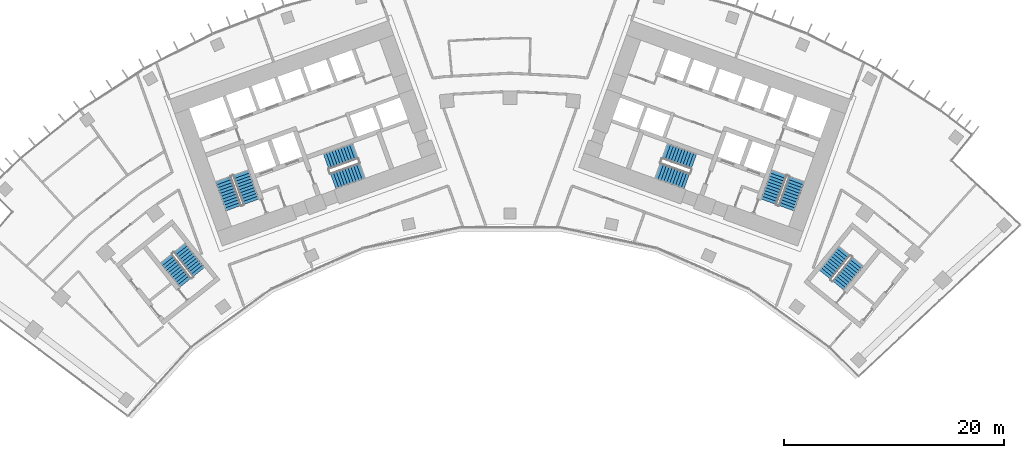
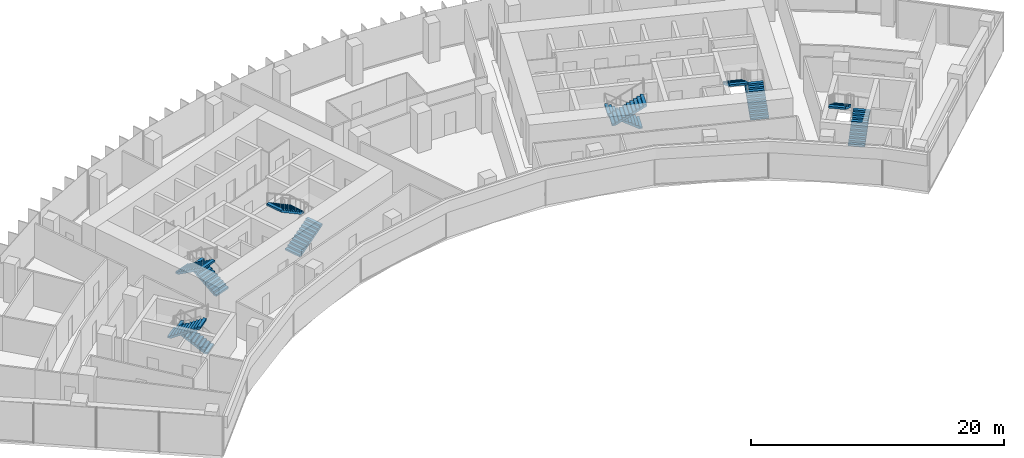
# One storey, part 19 of 21: 12 stair flights, 6 elements without a shape of their own.
"""IFC4 building model written with IfcOpenShell, lengths in metres."""

from ifc_helpers import new_model, si_unit, direction, frame, origin, place, context, subcontext, project, spatial, polyline, outline, extrude, material, type_object, element, aggregate, save


model = new_model("IFC4")

# Units and contexts
model_context = context("Model", 3, precision=1e-05, world=origin(), true_north=direction((0.0, 1.0)))
body_context = subcontext(model_context, "Body", "Model", "MODEL_VIEW")
ifc_project = project(units=[si_unit("LENGTHUNIT", "METRE"), si_unit("AREAUNIT", "SQUARE_METRE"), si_unit("VOLUMEUNIT", "CUBIC_METRE"), si_unit("PLANEANGLEUNIT", "RADIAN"), si_unit("MASSUNIT", "GRAM", prefix="KILO")], contexts=[model_context])

# Site, building, storey
site_placement = place(None, origin())
site = spatial("IfcSite", under=ifc_project, at=site_placement, CompositionType="ELEMENT")
building_placement = place(site_placement, origin())
building = spatial("IfcBuilding", under=site, at=building_placement, Name="Stone Belt Terrace Tower", CompositionType="ELEMENT")
storey_placement = place(building_placement, frame((0.0, 0.0, 189.60009765625)))
storey = spatial("IfcBuildingStorey", under=building, at=storey_placement, Name="L46", CompositionType="ELEMENT", Elevation=189.60009765625)

# Stair, stair flights
ifc_material = material(Name="Concrete B40", Category="concrete")
stair_type = type_object("IfcStairType", Name="Exit stair 1500", PredefinedType="HALF_TURN_STAIR", material=ifc_material)
stair_1_placement = place(storey_placement, origin())
stair_1 = element("IfcStair", 1, at=stair_1_placement, inside=storey, type_object=stair_type, Name="L46 Exit stair 1 core A", PredefinedType="HALF_TURN_STAIR")
stair_flight_type = type_object("IfcStairFlightType", Name="Stair flight 1500", PredefinedType="STRAIGHT", material=ifc_material)
stair_flight_1_placement = place(storey_placement, frame((-23.55322265625, 45.51318359375, 0.0), z_axis=(0.0, 0.0, 1.0), x_axis=(-0.338624396177, 0.940921632398, 0.0)))
stair_flight_1 = element("IfcStairFlight", 2, at=stair_flight_1_placement, type_object=stair_flight_type, Name="ST1A flight 1", NumberOfRisers=11, NumberOfTreads=10, PredefinedType="STRAIGHT", RiserHeight=0.172727273, TreadLength=0.28, context=body_context, shape_type="SweptSolid", body=[
    extrude(outline(polyline([(0.0, 0.0), (0.0, 0.172607421875), (0.280029296875, 0.172607421875), (0.280029296875, 0.345458984375), (0.56005859375, 0.345458984375), (0.56005859375, 0.51806640625), (0.840087890625, 0.51806640625), (0.840087890625, 0.69091796875), (1.1201171875, 0.69091796875), (1.1201171875, 0.863525390625), (1.39990234375, 0.863525390625), (1.39990234375, 1.036376953125), (1.679931640625, 1.036376953125), (1.679931640625, 1.208984375), (1.9599609375, 1.208984375), (1.9599609375, 1.3818359375), (2.239990234375, 1.3818359375), (2.239990234375, 1.554443359375), (2.52001953125, 1.554443359375), (2.52001953125, 1.727294921875), (2.800048828125, 1.727294921875), (2.800048828125, 1.89990234375), (2.800048828125, 1.551025390625), (0.285400390625, 0.0), (0.0, 0.0)])), frame((0.0, 0.75, 0.0), z_axis=(0.0, -1.0, 0.0), x_axis=(1.0, 0.0, 0.0)), (0.0, 0.0, 1.0), 1.5),
])
stair_flight_2_placement = place(storey_placement, frame((-26.10107421875, 47.572021484375, 1.89990234375), z_axis=(0.0, 0.0, 1.0), x_axis=(0.338624396177, -0.940921632398, 0.0)))
stair_flight_2 = element("IfcStairFlight", 3, at=stair_flight_2_placement, type_object=stair_flight_type, Name="ST1A flight 2", NumberOfRisers=11, NumberOfTreads=10, PredefinedType="STRAIGHT", RiserHeight=0.172727273, TreadLength=0.28, context=body_context, shape_type="SweptSolid", body=[
    extrude(outline(polyline([(0.0, 0.0), (0.0, 0.172607421875), (0.280029296875, 0.172607421875), (0.280029296875, 0.345458984375), (0.56005859375, 0.345458984375), (0.56005859375, 0.51806640625), (0.840087890625, 0.51806640625), (0.840087890625, 0.69091796875), (1.1201171875, 0.69091796875), (1.1201171875, 0.863525390625), (1.39990234375, 0.863525390625), (1.39990234375, 1.036376953125), (1.679931640625, 1.036376953125), (1.679931640625, 1.208984375), (1.9599609375, 1.208984375), (1.9599609375, 1.3818359375), (2.239990234375, 1.3818359375), (2.239990234375, 1.554443359375), (2.52001953125, 1.554443359375), (2.52001953125, 1.727294921875), (2.800048828125, 1.727294921875), (2.800048828125, 1.89990234375), (2.800048828125, 1.551025390625), (0.285400390625, 0.0), (0.0, 0.0)])), frame((0.0, 0.75, 0.0), z_axis=(0.0, -1.0, 0.0), x_axis=(1.0, 0.0, 0.0)), (0.0, 0.0, 1.0), 1.5),
])
aggregate(stair_1, [stair_flight_1, stair_flight_2])

stair_2_placement = place(storey_placement, origin())
stair_2 = element("IfcStair", 4, at=stair_2_placement, inside=storey, type_object=stair_type, Name="L46 Exit stair 2 core A", PredefinedType="HALF_TURN_STAIR")
stair_flight_3_placement = place(storey_placement, frame((-16.101318359375, 47.39794921875, 0.0), z_axis=(0.0, 0.0, 1.0), x_axis=(0.940921632398, 0.338624396177, 0.0)))
stair_flight_3 = element("IfcStairFlight", 5, at=stair_flight_3_placement, type_object=stair_flight_type, Name="ST2A flight 1", NumberOfRisers=11, NumberOfTreads=10, PredefinedType="STRAIGHT", RiserHeight=0.172727273, TreadLength=0.28, context=body_context, shape_type="SweptSolid", body=[
    extrude(outline(polyline([(0.0, 0.0), (0.0, 0.172607421875), (0.280029296875, 0.172607421875), (0.280029296875, 0.345458984375), (0.56005859375, 0.345458984375), (0.56005859375, 0.51806640625), (0.840087890625, 0.51806640625), (0.840087890625, 0.69091796875), (1.1201171875, 0.69091796875), (1.1201171875, 0.863525390625), (1.39990234375, 0.863525390625), (1.39990234375, 1.036376953125), (1.679931640625, 1.036376953125), (1.679931640625, 1.208984375), (1.9599609375, 1.208984375), (1.9599609375, 1.3818359375), (2.239990234375, 1.3818359375), (2.239990234375, 1.554443359375), (2.52001953125, 1.554443359375), (2.52001953125, 1.727294921875), (2.800048828125, 1.727294921875), (2.800048828125, 1.89990234375), (2.800048828125, 1.551025390625), (0.285400390625, 0.0), (0.0, 0.0)])), frame((0.0, 0.75, 0.0), z_axis=(0.0, -1.0, 0.0), x_axis=(1.0, 0.0, 0.0)), (0.0, 0.0, 1.0), 1.5),
])
stair_flight_4_placement = place(storey_placement, frame((-14.110107421875, 50.1337890625, 1.89990234375), z_axis=(0.0, 0.0, 1.0), x_axis=(-0.940921632398, -0.338624396177, 0.0)))
stair_flight_4 = element("IfcStairFlight", 6, at=stair_flight_4_placement, type_object=stair_flight_type, Name="ST2A flight 2", NumberOfRisers=11, NumberOfTreads=10, PredefinedType="STRAIGHT", RiserHeight=0.172727273, TreadLength=0.28, context=body_context, shape_type="SweptSolid", body=[
    extrude(outline(polyline([(0.0, 0.0), (0.0, 0.172607421875), (0.280029296875, 0.172607421875), (0.280029296875, 0.345458984375), (0.56005859375, 0.345458984375), (0.56005859375, 0.51806640625), (0.840087890625, 0.51806640625), (0.840087890625, 0.69091796875), (1.1201171875, 0.69091796875), (1.1201171875, 0.863525390625), (1.39990234375, 0.863525390625), (1.39990234375, 1.036376953125), (1.679931640625, 1.036376953125), (1.679931640625, 1.208984375), (1.9599609375, 1.208984375), (1.9599609375, 1.3818359375), (2.239990234375, 1.3818359375), (2.239990234375, 1.554443359375), (2.52001953125, 1.554443359375), (2.52001953125, 1.727294921875), (2.800048828125, 1.727294921875), (2.800048828125, 1.89990234375), (2.800048828125, 1.551025390625), (0.285400390625, 0.0), (0.0, 0.0)])), frame((0.0, 0.75, 0.0), z_axis=(0.0, -1.0, 0.0), x_axis=(1.0, 0.0, 0.0)), (0.0, 0.0, 1.0), 1.5),
])
aggregate(stair_2, [stair_flight_3, stair_flight_4])

stair_3_placement = place(storey_placement, origin())
stair_3 = element("IfcStair", 7, at=stair_3_placement, inside=storey, type_object=stair_type, Name="L46 Exit stair 1 core B", PredefinedType="HALF_TURN_STAIR")
stair_flight_5_placement = place(storey_placement, frame((25.15283203125, 44.9375, 0.0), z_axis=(0.0, 0.0, 1.0), x_axis=(0.338624396177, 0.940921632398, 0.0)))
stair_flight_5 = element("IfcStairFlight", 8, at=stair_flight_5_placement, type_object=stair_flight_type, Name="ST1B flight 1", NumberOfRisers=11, NumberOfTreads=10, PredefinedType="STRAIGHT", RiserHeight=0.172727273, TreadLength=0.28, context=body_context, shape_type="SweptSolid", body=[
    extrude(outline(polyline([(0.0, 0.0), (0.0, 0.172607421875), (0.280029296875, 0.172607421875), (0.280029296875, 0.345458984375), (0.56005859375, 0.345458984375), (0.56005859375, 0.51806640625), (0.840087890625, 0.51806640625), (0.840087890625, 0.69091796875), (1.1201171875, 0.69091796875), (1.1201171875, 0.863525390625), (1.39990234375, 0.863525390625), (1.39990234375, 1.036376953125), (1.679931640625, 1.036376953125), (1.679931640625, 1.208984375), (1.9599609375, 1.208984375), (1.9599609375, 1.3818359375), (2.239990234375, 1.3818359375), (2.239990234375, 1.554443359375), (2.52001953125, 1.554443359375), (2.52001953125, 1.727294921875), (2.800048828125, 1.727294921875), (2.800048828125, 1.89990234375), (2.800048828125, 1.551025390625), (0.285400390625, 0.0), (0.0, 0.0)])), frame((0.0, 0.75, 0.0), z_axis=(0.0, -1.0, 0.0), x_axis=(1.0, 0.0, 0.0)), (0.0, 0.0, 1.0), 1.5),
])
stair_flight_6_placement = place(storey_placement, frame((24.50146484375, 48.147705078125, 1.89990234375), z_axis=(0.0, 0.0, 1.0), x_axis=(-0.338624396177, -0.940921632398, 0.0)))
stair_flight_6 = element("IfcStairFlight", 9, at=stair_flight_6_placement, type_object=stair_flight_type, Name="ST1B flight 2", NumberOfRisers=11, NumberOfTreads=10, PredefinedType="STRAIGHT", RiserHeight=0.172727273, TreadLength=0.28, context=body_context, shape_type="SweptSolid", body=[
    extrude(outline(polyline([(0.0, 0.0), (0.0, 0.172607421875), (0.280029296875, 0.172607421875), (0.280029296875, 0.345458984375), (0.56005859375, 0.345458984375), (0.56005859375, 0.51806640625), (0.840087890625, 0.51806640625), (0.840087890625, 0.69091796875), (1.1201171875, 0.69091796875), (1.1201171875, 0.863525390625), (1.39990234375, 0.863525390625), (1.39990234375, 1.036376953125), (1.679931640625, 1.036376953125), (1.679931640625, 1.208984375), (1.9599609375, 1.208984375), (1.9599609375, 1.3818359375), (2.239990234375, 1.3818359375), (2.239990234375, 1.554443359375), (2.52001953125, 1.554443359375), (2.52001953125, 1.727294921875), (2.800048828125, 1.727294921875), (2.800048828125, 1.89990234375), (2.800048828125, 1.551025390625), (0.285400390625, 0.0), (0.0, 0.0)])), frame((0.0, 0.75, 0.0), z_axis=(0.0, -1.0, 0.0), x_axis=(1.0, 0.0, 0.0)), (0.0, 0.0, 1.0), 1.5),
])
aggregate(stair_3, [stair_flight_5, stair_flight_6])

stair_4_placement = place(storey_placement, origin())
stair_4 = element("IfcStair", 10, at=stair_4_placement, inside=storey, type_object=stair_type, Name="L46 Exit stair 2 core B", PredefinedType="HALF_TURN_STAIR")
stair_flight_7_placement = place(storey_placement, frame((16.74462890625, 49.185546875, 0.0), z_axis=(0.0, 0.0, 1.0), x_axis=(-0.940921632398, 0.338624396177, 0.0)))
stair_flight_7 = element("IfcStairFlight", 11, at=stair_flight_7_placement, type_object=stair_flight_type, Name="ST2B flight 1", NumberOfRisers=11, NumberOfTreads=10, PredefinedType="STRAIGHT", RiserHeight=0.172727273, TreadLength=0.28, context=body_context, shape_type="SweptSolid", body=[
    extrude(outline(polyline([(0.0, 0.0), (0.0, 0.172607421875), (0.280029296875, 0.172607421875), (0.280029296875, 0.345458984375), (0.56005859375, 0.345458984375), (0.56005859375, 0.51806640625), (0.840087890625, 0.51806640625), (0.840087890625, 0.69091796875), (1.1201171875, 0.69091796875), (1.1201171875, 0.863525390625), (1.39990234375, 0.863525390625), (1.39990234375, 1.036376953125), (1.679931640625, 1.036376953125), (1.679931640625, 1.208984375), (1.9599609375, 1.208984375), (1.9599609375, 1.3818359375), (2.239990234375, 1.3818359375), (2.239990234375, 1.554443359375), (2.52001953125, 1.554443359375), (2.52001953125, 1.727294921875), (2.800048828125, 1.727294921875), (2.800048828125, 1.89990234375), (2.800048828125, 1.551025390625), (0.285400390625, 0.0), (0.0, 0.0)])), frame((0.0, 0.75, 0.0), z_axis=(0.0, -1.0, 0.0), x_axis=(1.0, 0.0, 0.0)), (0.0, 0.0, 1.0), 1.5),
])
stair_flight_8_placement = place(storey_placement, frame((13.466796875, 48.345947265625, 1.89990234375), z_axis=(0.0, 0.0, 1.0), x_axis=(0.940921632398, -0.338624396177, 0.0)))
stair_flight_8 = element("IfcStairFlight", 12, at=stair_flight_8_placement, type_object=stair_flight_type, Name="ST2B flight 2", NumberOfRisers=11, NumberOfTreads=10, PredefinedType="STRAIGHT", RiserHeight=0.172727273, TreadLength=0.28, context=body_context, shape_type="SweptSolid", body=[
    extrude(outline(polyline([(0.0, 0.0), (0.0, 0.172607421875), (0.280029296875, 0.172607421875), (0.280029296875, 0.345458984375), (0.56005859375, 0.345458984375), (0.56005859375, 0.51806640625), (0.840087890625, 0.51806640625), (0.840087890625, 0.69091796875), (1.1201171875, 0.69091796875), (1.1201171875, 0.863525390625), (1.39990234375, 0.863525390625), (1.39990234375, 1.036376953125), (1.679931640625, 1.036376953125), (1.679931640625, 1.208984375), (1.9599609375, 1.208984375), (1.9599609375, 1.3818359375), (2.239990234375, 1.3818359375), (2.239990234375, 1.554443359375), (2.52001953125, 1.554443359375), (2.52001953125, 1.727294921875), (2.800048828125, 1.727294921875), (2.800048828125, 1.89990234375), (2.800048828125, 1.551025390625), (0.285400390625, 0.0), (0.0, 0.0)])), frame((0.0, 0.75, 0.0), z_axis=(0.0, -1.0, 0.0), x_axis=(1.0, 0.0, 0.0)), (0.0, 0.0, 1.0), 1.5),
])
aggregate(stair_4, [stair_flight_7, stair_flight_8])

stair_5_placement = place(storey_placement, origin())
stair_5 = element("IfcStair", 13, at=stair_5_placement, inside=storey, type_object=stair_type, Name="L46 Exit stair 3A", PredefinedType="HALF_TURN_STAIR")
stair_flight_9_placement = place(storey_placement, frame((-28.325439453125, 39.1240234375, 0.0), z_axis=(0.0, 0.0, 1.0), x_axis=(-0.623121363691, 0.782125160132, 0.0)))
stair_flight_9 = element("IfcStairFlight", 14, at=stair_flight_9_placement, type_object=stair_flight_type, Name="ST3A flight 1", NumberOfRisers=11, NumberOfTreads=10, PredefinedType="STRAIGHT", RiserHeight=0.172727273, TreadLength=0.28, context=body_context, shape_type="SweptSolid", body=[
    extrude(outline(polyline([(0.0, 0.0), (0.0, 0.172607421875), (0.280029296875, 0.172607421875), (0.280029296875, 0.345458984375), (0.56005859375, 0.345458984375), (0.56005859375, 0.51806640625), (0.840087890625, 0.51806640625), (0.840087890625, 0.69091796875), (1.1201171875, 0.69091796875), (1.1201171875, 0.863525390625), (1.39990234375, 0.863525390625), (1.39990234375, 1.036376953125), (1.679931640625, 1.036376953125), (1.679931640625, 1.208984375), (1.9599609375, 1.208984375), (1.9599609375, 1.3818359375), (2.239990234375, 1.3818359375), (2.239990234375, 1.554443359375), (2.52001953125, 1.554443359375), (2.52001953125, 1.727294921875), (2.800048828125, 1.727294921875), (2.800048828125, 1.89990234375), (2.800048828125, 1.551025390625), (0.285400390625, 0.0), (0.0, 0.0)])), frame((0.0, 0.675048828125, 0.0), z_axis=(0.0, -1.0, 0.0), x_axis=(1.0, 0.0, 0.0)), (0.0, 0.0, 1.0), 1.35009765625),
])
stair_flight_10_placement = place(storey_placement, frame((-31.282470703125, 40.34814453125, 1.89990234375), z_axis=(0.0, 0.0, 1.0), x_axis=(0.623121363691, -0.782125160132, 0.0)))
stair_flight_10 = element("IfcStairFlight", 15, at=stair_flight_10_placement, type_object=stair_flight_type, Name="ST3A flight 2", NumberOfRisers=11, NumberOfTreads=10, PredefinedType="STRAIGHT", RiserHeight=0.172727273, TreadLength=0.28, context=body_context, shape_type="SweptSolid", body=[
    extrude(outline(polyline([(0.0, 0.0), (0.0, 0.172607421875), (0.280029296875, 0.172607421875), (0.280029296875, 0.345458984375), (0.56005859375, 0.345458984375), (0.56005859375, 0.51806640625), (0.840087890625, 0.51806640625), (0.840087890625, 0.69091796875), (1.1201171875, 0.69091796875), (1.1201171875, 0.863525390625), (1.39990234375, 0.863525390625), (1.39990234375, 1.036376953125), (1.679931640625, 1.036376953125), (1.679931640625, 1.208984375), (1.9599609375, 1.208984375), (1.9599609375, 1.3818359375), (2.239990234375, 1.3818359375), (2.239990234375, 1.554443359375), (2.52001953125, 1.554443359375), (2.52001953125, 1.727294921875), (2.800048828125, 1.727294921875), (2.800048828125, 1.89990234375), (2.800048828125, 1.551025390625), (0.285400390625, 0.0), (0.0, 0.0)])), frame((0.0, 0.675048828125, 0.0), z_axis=(0.0, -1.0, 0.0), x_axis=(1.0, 0.0, 0.0)), (0.0, 0.0, 1.0), 1.35009765625),
])
aggregate(stair_5, [stair_flight_9, stair_flight_10])

stair_6_placement = place(storey_placement, origin())
stair_6 = element("IfcStair", 16, at=stair_6_placement, inside=storey, type_object=stair_type, Name="L46 Exit stair 3B", PredefinedType="HALF_TURN_STAIR")
stair_flight_11_placement = place(storey_placement, frame((29.88330078125, 37.887939453125, 0.0), z_axis=(0.0, 0.0, 1.0), x_axis=(0.630205749599, 0.776428176441, 0.0)))
stair_flight_11 = element("IfcStairFlight", 17, at=stair_flight_11_placement, type_object=stair_flight_type, Name="ST3B flight 1", NumberOfRisers=11, NumberOfTreads=10, PredefinedType="STRAIGHT", RiserHeight=0.172727273, TreadLength=0.28, context=body_context, shape_type="SweptSolid", body=[
    extrude(outline(polyline([(0.0, 0.0), (0.0, 0.172607421875), (0.280029296875, 0.172607421875), (0.280029296875, 0.345458984375), (0.56005859375, 0.345458984375), (0.56005859375, 0.51806640625), (0.840087890625, 0.51806640625), (0.840087890625, 0.69091796875), (1.1201171875, 0.69091796875), (1.1201171875, 0.863525390625), (1.39990234375, 0.863525390625), (1.39990234375, 1.036376953125), (1.679931640625, 1.036376953125), (1.679931640625, 1.208984375), (1.9599609375, 1.208984375), (1.9599609375, 1.3818359375), (2.239990234375, 1.3818359375), (2.239990234375, 1.554443359375), (2.52001953125, 1.554443359375), (2.52001953125, 1.727294921875), (2.800048828125, 1.727294921875), (2.800048828125, 1.89990234375), (2.800048828125, 1.551025390625), (0.285400390625, 0.0), (0.0, 0.0)])), frame((0.0, 0.675048828125, 0.0), z_axis=(0.0, -1.0, 0.0), x_axis=(1.0, 0.0, 0.0)), (0.0, 0.0, 1.0), 1.35009765625),
])
stair_flight_12_placement = place(storey_placement, frame((30.4443359375, 41.038818359375, 1.89990234375), z_axis=(0.0, 0.0, 1.0), x_axis=(-0.630205749599, -0.776428176441, 0.0)))
stair_flight_12 = element("IfcStairFlight", 18, at=stair_flight_12_placement, type_object=stair_flight_type, Name="ST3B flight 2", NumberOfRisers=11, NumberOfTreads=10, PredefinedType="STRAIGHT", RiserHeight=0.172727273, TreadLength=0.28, context=body_context, shape_type="SweptSolid", body=[
    extrude(outline(polyline([(0.0, 0.0), (0.0, 0.172607421875), (0.280029296875, 0.172607421875), (0.280029296875, 0.345458984375), (0.56005859375, 0.345458984375), (0.56005859375, 0.51806640625), (0.840087890625, 0.51806640625), (0.840087890625, 0.69091796875), (1.1201171875, 0.69091796875), (1.1201171875, 0.863525390625), (1.39990234375, 0.863525390625), (1.39990234375, 1.036376953125), (1.679931640625, 1.036376953125), (1.679931640625, 1.208984375), (1.9599609375, 1.208984375), (1.9599609375, 1.3818359375), (2.239990234375, 1.3818359375), (2.239990234375, 1.554443359375), (2.52001953125, 1.554443359375), (2.52001953125, 1.727294921875), (2.800048828125, 1.727294921875), (2.800048828125, 1.89990234375), (2.800048828125, 1.551025390625), (0.285400390625, 0.0), (0.0, 0.0)])), frame((0.0, 0.675048828125, 0.0), z_axis=(0.0, -1.0, 0.0), x_axis=(1.0, 0.0, 0.0)), (0.0, 0.0, 1.0), 1.35009765625),
])
aggregate(stair_6, [stair_flight_11, stair_flight_12])

save(model, "model.ifc")
